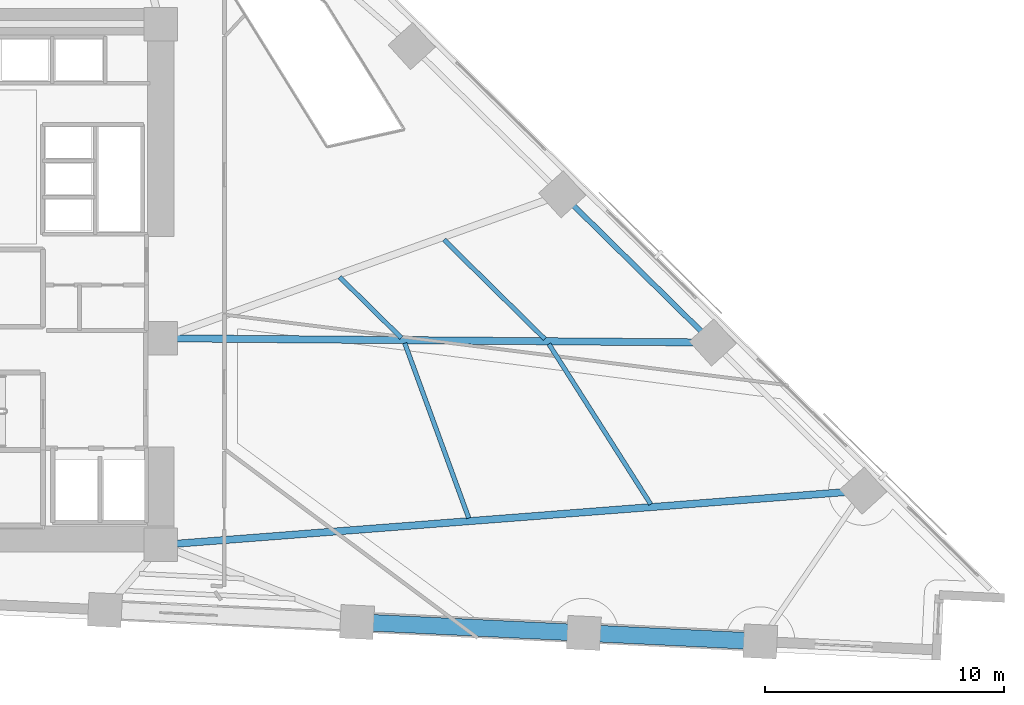
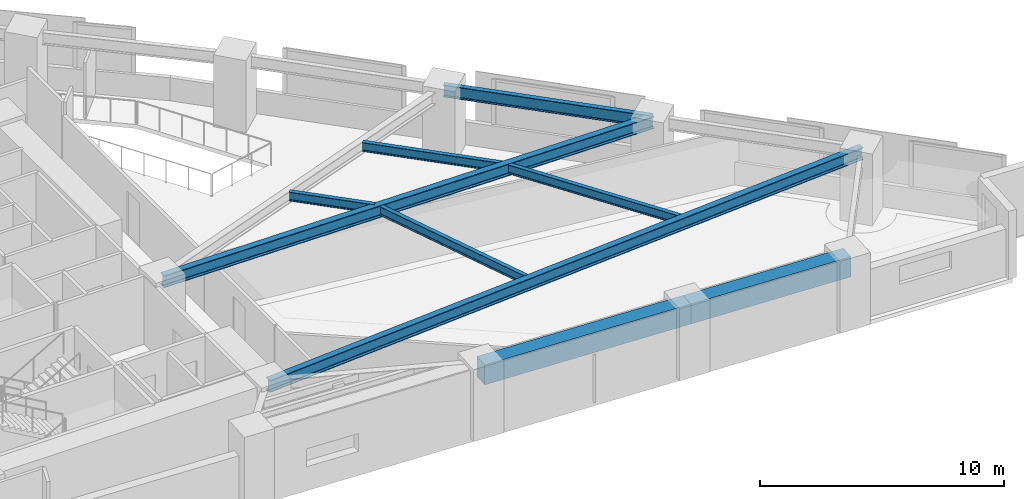
# One storey, part 3 of 17: 9 beams.
"""IFC4 building model written with IfcOpenShell, lengths in metres."""

from ifc_helpers import new_model, si_unit, direction, frame, origin, origin_2d, place, context, subcontext, project, spatial, rectangle, i_section, extrude, material, material_profile, profile_set, type_object, element, save


model = new_model("IFC4")

# Units and contexts
model_context = context("Model", 3, precision=1e-05, world=origin(), true_north=direction((0.0, 1.0)))
body_context = subcontext(model_context, "Body", "Model", "MODEL_VIEW")
ifc_project = project(units=[si_unit("LENGTHUNIT", "METRE"), si_unit("AREAUNIT", "SQUARE_METRE"), si_unit("VOLUMEUNIT", "CUBIC_METRE"), si_unit("PLANEANGLEUNIT", "RADIAN"), si_unit("MASSUNIT", "GRAM", prefix="KILO")], contexts=[model_context])

# Site, building, storey
site_placement = place(None, origin())
site = spatial("IfcSite", under=ifc_project, at=site_placement, CompositionType="ELEMENT")
building_placement = place(site_placement, origin())
building = spatial("IfcBuilding", under=site, at=building_placement, Name="Narakoshi Arena Tower", CompositionType="ELEMENT")
storey_placement = place(building_placement, frame((0.0, 0.0, 51.89990234375)))
storey = spatial("IfcBuildingStorey", under=building, at=storey_placement, Name="L13", CompositionType="ELEMENT", Elevation=51.89990234375)

# Beams
ifc_material_1 = material(Name="Concrete C60/75", Category="concrete")
ifc_material_profile_1 = material_profile(ifc_material_1, rectangle(XDim=0.699951171875, YDim=1.0, at=origin_2d()), Name="RCB700x1000")
ifc_profile_set_1 = profile_set([ifc_material_profile_1], Name="Concrete C60/75")
beam_type_1 = type_object("IfcBeamType", Name="BM-CPL-1000", PredefinedType="BEAM", material=ifc_profile_set_1)
beam_1_placement = place(storey_placement, frame((93.760009765625, 31.472412109375, 2.900146484375), z_axis=(0.998849228903, -0.047960587155, 0.0), x_axis=(0.047960587155, 0.998849228903, 0.0)))
element("IfcBeam", 1, at=beam_1_placement, inside=storey, type_object=beam_type_1, Name="L13 Perimeter Edge Girder 02", PredefinedType="BEAM", context=body_context, shape_type="SweptSolid", body=[
    extrude(rectangle(XDim=0.699951171875, YDim=1.0, at=origin_2d()), origin(), (0.0, 0.0, 1.0), 9.50390625),
])
beam_2_placement = place(storey_placement, frame((103.2529296875, 31.0166015625, 2.900146484375), z_axis=(0.998847872759, -0.047988822508, 0.0), x_axis=(0.047988822508, 0.998847872759, 0.0)))
element("IfcBeam", 2, at=beam_2_placement, inside=storey, type_object=beam_type_1, Name="L13 Perimeter Edge Girder 03", PredefinedType="BEAM", context=body_context, shape_type="SweptSolid", body=[
    extrude(rectangle(XDim=0.699951171875, YDim=1.0, at=origin_2d()), origin(), (0.0, 0.0, 1.0), 7.39208984375),
])
ifc_material_2 = material(Name="Structural steel S355J2", Category="steel")
ifc_material_profile_2 = material_profile(ifc_material_2, i_section(OverallWidth=0.219970703125, OverallDepth=0.60009765625, WebThickness=0.011962890625, FlangeThickness=0.01904296875, FilletRadius=0.02392578125, at=origin_2d()), Name="IPE600")
ifc_profile_set_2 = profile_set([ifc_material_profile_2], Name="Structural steel S355J2")
beam_type_2 = type_object("IfcBeamType", Name="BM-EDGE-600", PredefinedType="BEAM", material=ifc_profile_set_2)
beam_3_placement = place(storey_placement, frame((108.643798828125, 43.171875, 3.10009765625), z_axis=(-0.712540689328, 0.70163079041, 0.0), x_axis=(-0.70163079041, -0.712540689328, 0.0)))
element("IfcBeam", 3, at=beam_3_placement, inside=storey, type_object=beam_type_2, Name="L13 Perimeter Edge Girder 06", PredefinedType="BEAM", context=body_context, shape_type="SweptSolid", body=[
    extrude(i_section(OverallWidth=0.219970703125, OverallDepth=0.60009765625, WebThickness=0.011962890625, FlangeThickness=0.01904296875, FilletRadius=0.02392578125, at=origin_2d()), origin(), (0.0, 0.0, 1.0), 8.83935546875),
])
ifc_material_profile_3 = material_profile(ifc_material_2, i_section(OverallWidth=0.300048828125, OverallDepth=0.60009765625, WebThickness=0.015380859375, FlangeThickness=0.030029296875, FilletRadius=0.027099609375, at=origin_2d()), Name="HE600B")
ifc_profile_set_3 = profile_set([ifc_material_profile_3], Name="Structural steel S355J2")
beam_type_3 = type_object("IfcBeamType", Name="BM-PRI-600", PredefinedType="BEAM", material=ifc_profile_set_3)
beam_4_placement = place(storey_placement, frame((85.550048828125, 34.699951171875, 3.10009765625), z_axis=(0.99703085997, 0.077003014669, 0.0), x_axis=(-0.077003014669, 0.99703085997, 0.0)))
element("IfcBeam", 4, at=beam_4_placement, inside=storey, type_object=beam_type_3, Name="L13 Radial Primary Floor Girder 05", PredefinedType="BEAM", context=body_context, shape_type="SweptSolid", body=[
    extrude(i_section(OverallWidth=0.300048828125, OverallDepth=0.60009765625, WebThickness=0.015380859375, FlangeThickness=0.030029296875, FilletRadius=0.027099609375, at=origin_2d()), origin(), (0.0, 0.0, 1.0), 29.479736328125),
])
beam_5_placement = place(storey_placement, frame((85.550048828125, 43.35009765625, 3.10009765625), z_axis=(0.99997022255, -0.00771712473, 0.0), x_axis=(0.00771712473, 0.99997022255, 0.0)))
element("IfcBeam", 5, at=beam_5_placement, inside=storey, type_object=beam_type_3, Name="L13 Radial Primary Floor Girder 06", PredefinedType="BEAM", context=body_context, shape_type="SweptSolid", body=[
    extrude(i_section(OverallWidth=0.300048828125, OverallDepth=0.60009765625, WebThickness=0.015380859375, FlangeThickness=0.030029296875, FilletRadius=0.027099609375, at=origin_2d()), origin(), (0.0, 0.0, 1.0), 23.094482421875),
])
ifc_material_profile_4 = material_profile(ifc_material_2, i_section(OverallWidth=0.18994140625, OverallDepth=0.449951171875, WebThickness=0.009521484375, FlangeThickness=0.0146484375, FilletRadius=0.02099609375, at=origin_2d()), Name="IPE450")
ifc_profile_set_4 = profile_set([ifc_material_profile_4], Name="Structural steel S355J2")
beam_type_4 = type_object("IfcBeamType", Name="BM-SEC-450", PredefinedType="JOIST", material=ifc_profile_set_4)
beam_6_placement = place(storey_placement, frame((98.436279296875, 35.825439453125, 3.175048828125), z_axis=(-0.343646214549, 0.939099184978, 0.0), x_axis=(-0.939099184978, -0.343646214549, 0.0)))
element("IfcBeam", 6, at=beam_6_placement, inside=storey, type_object=beam_type_4, Name="L13 Composite Secondary Floor Joist 03", PredefinedType="JOIST", context=body_context, shape_type="SweptSolid", body=[
    extrude(i_section(OverallWidth=0.18994140625, OverallDepth=0.449951171875, WebThickness=0.009521484375, FlangeThickness=0.0146484375, FilletRadius=0.02099609375, at=origin_2d()), origin(), (0.0, 0.0, 1.0), 7.794189453125),
])
beam_7_placement = place(storey_placement, frame((106.052001953125, 36.40283203125, 3.175048828125), z_axis=(-0.536416331891, 0.843953505165, 0.0), x_axis=(-0.843953505165, -0.536416331891, 0.0)))
element("IfcBeam", 7, at=beam_7_placement, inside=storey, type_object=beam_type_4, Name="L13 Composite Secondary Floor Joist 04", PredefinedType="JOIST", context=body_context, shape_type="SweptSolid", body=[
    extrude(i_section(OverallWidth=0.18994140625, OverallDepth=0.449951171875, WebThickness=0.009521484375, FlangeThickness=0.0146484375, FilletRadius=0.02099609375, at=origin_2d()), origin(), (0.0, 0.0, 1.0), 7.948974609375),
])
beam_8_placement = place(storey_placement, frame((95.614990234375, 43.366455078125, 3.175048828125), z_axis=(-0.71254969756, 0.701621641989, 0.0), x_axis=(-0.701621641989, -0.71254969756, 0.0)))
element("IfcBeam", 8, at=beam_8_placement, inside=storey, type_object=beam_type_4, Name="L13 Composite Secondary Floor Joist 05", PredefinedType="JOIST", context=body_context, shape_type="SweptSolid", body=[
    extrude(i_section(OverallWidth=0.18994140625, OverallDepth=0.449951171875, WebThickness=0.009521484375, FlangeThickness=0.0146484375, FilletRadius=0.02099609375, at=origin_2d()), origin(), (0.0, 0.0, 1.0), 3.619140625),
])
beam_9_placement = place(storey_placement, frame((101.619384765625, 43.320068359375, 3.175048828125), z_axis=(-0.71253191184, 0.701639704271, 0.0), x_axis=(-0.701639704271, -0.71253191184, 0.0)))
element("IfcBeam", 9, at=beam_9_placement, inside=storey, type_object=beam_type_4, Name="L13 Composite Secondary Floor Joist 06", PredefinedType="JOIST", context=body_context, shape_type="SweptSolid", body=[
    extrude(i_section(OverallWidth=0.18994140625, OverallDepth=0.449951171875, WebThickness=0.009521484375, FlangeThickness=0.0146484375, FilletRadius=0.02099609375, at=origin_2d()), origin(), (0.0, 0.0, 1.0), 5.91748046875),
])

save(model, "model.ifc")
